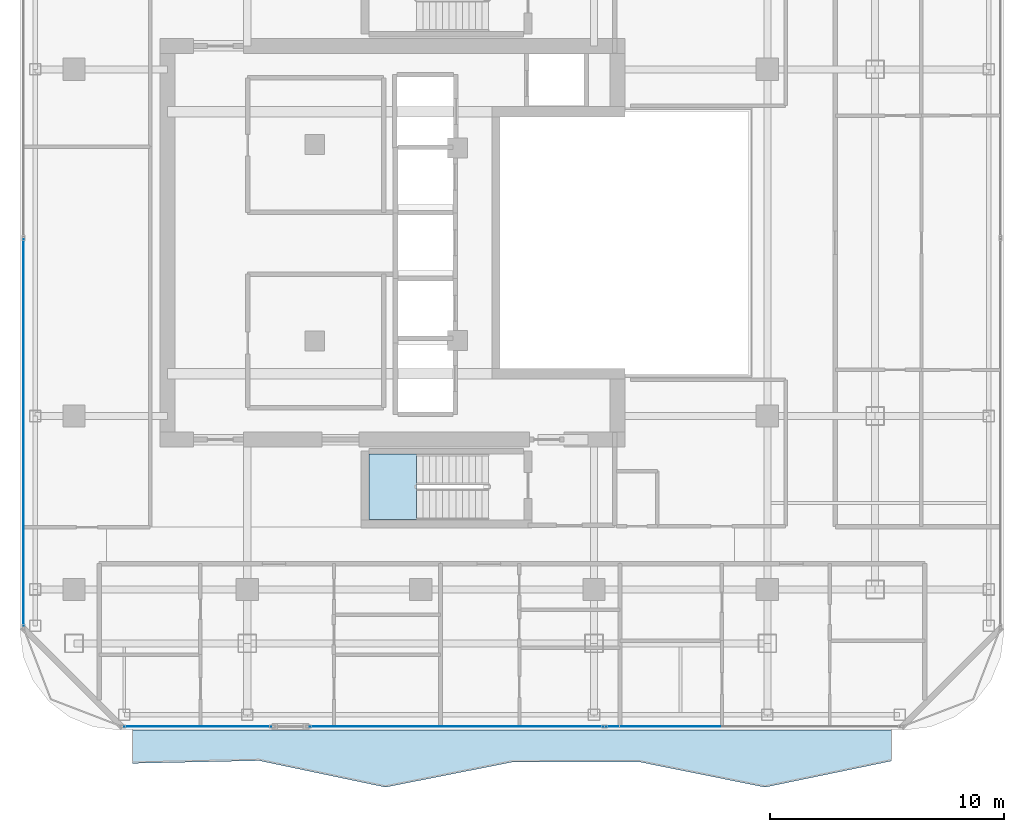
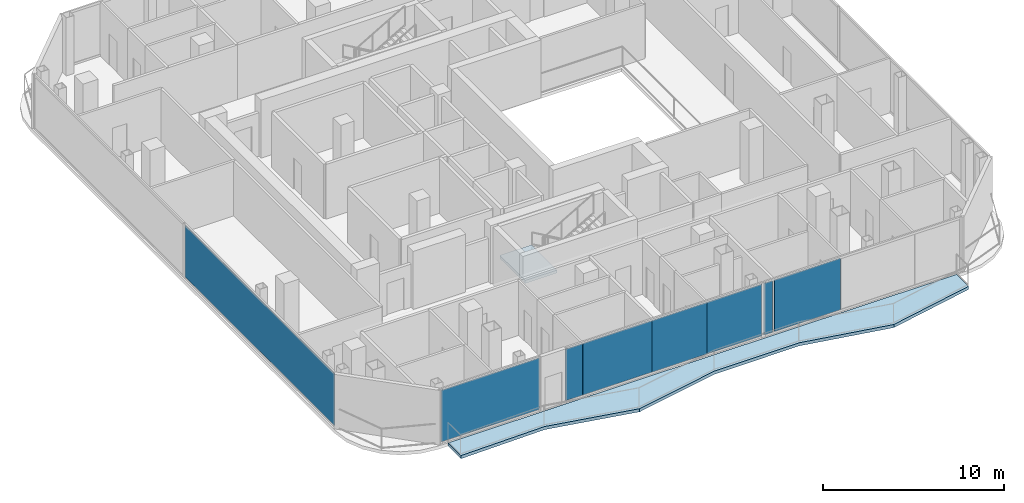
# One storey, part 15 of 23: 8 plates, 2 slabs, 4 elements without a shape of their own.
"""IFC4 building model written with IfcOpenShell, lengths in metres."""

from ifc_helpers import new_model, si_unit, direction, frame, origin, origin_2d, place, context, subcontext, project, spatial, polyline, rectangle, outline, extrude, material, layer, layer_set, type_object, element, aggregate, save


model = new_model("IFC4")

# Units and contexts
model_context = context("Model", 3, precision=1e-05, world=origin(), true_north=direction((0.0, 1.0)))
body_context = subcontext(model_context, "Body", "Model", "MODEL_VIEW")
ifc_project = project(units=[si_unit("LENGTHUNIT", "METRE"), si_unit("AREAUNIT", "SQUARE_METRE"), si_unit("VOLUMEUNIT", "CUBIC_METRE"), si_unit("PLANEANGLEUNIT", "RADIAN"), si_unit("MASSUNIT", "GRAM", prefix="KILO")], contexts=[model_context])

# Site, building, storey
site_placement = place(None, origin())
site = spatial("IfcSite", under=ifc_project, at=site_placement, CompositionType="ELEMENT")
building_placement = place(site_placement, origin())
building = spatial("IfcBuilding", under=site, at=building_placement, Name="Khorvyn Point Tower", CompositionType="ELEMENT")
storey_placement = place(building_placement, frame((0.0, 0.0, 274.199951171875)))
storey = spatial("IfcBuildingStorey", under=building, at=storey_placement, Name="L67", CompositionType="ELEMENT", Elevation=274.199951171875)

# Slab
ifc_material_1 = material(Name="Concrete C40/50", Category="concrete")
ifc_layer_1 = layer(ifc_material_1, 0.2099609375)
ifc_layer_set_1 = layer_set([ifc_layer_1], Name="Concrete C40/50 Rippling Balcony Slab 210")
slab_type_1 = type_object("IfcSlabType", Name="Concrete C40/50 Rippling Balcony Slab 210", PredefinedType="USERDEFINED", material=ifc_layer_set_1)
slab_1_placement = place(storey_placement, frame((0.0, 0.0, -0.2099609375)))
element("IfcSlab", 1, at=slab_1_placement, inside=storey, type_object=slab_type_1, Name="L67 South Sinusoidal Rippling Balcony", ObjectType="BALCONY", PredefinedType="USERDEFINED", context=body_context, shape_type="SweptSolid", body=[
    extrude(outline(polyline([(-12.300048828125, -20.800048828125), (-12.300048828125, -22.22265625), (-6.89990234375, -22.10693359375), (-1.5, -23.241455078125), (3.89990234375, -22.171630859375), (9.300048828125, -22.155029296875), (14.699951171875, -23.2421875), (20.10009765625, -22.12255859375), (20.10009765625, -20.800048828125), (-12.300048828125, -20.800048828125)])), origin(), (0.0, 0.0, 1.0), 0.2099609375),
])

# Stair, slab
stair_type = type_object("IfcStairType", Name="Tower Concrete C40/50 Dogleg Exit Stair", PredefinedType="HALF_TURN_STAIR", material=ifc_material_1)
stair_placement = place(storey_placement, origin())
stair = element("IfcStair", 2, at=stair_placement, inside=storey, type_object=stair_type, Name="L67 Tower Smokeproof Exit Stair South", PredefinedType="HALF_TURN_STAIR")
ifc_layer_2 = layer(ifc_material_1, 0.199951171875)
ifc_layer_set_2 = layer_set([ifc_layer_2], Name="Concrete C40/50 Stair Landing Slab 200")
slab_type_2 = type_object("IfcSlabType", Name="Concrete C40/50 Stair Landing Slab 200", PredefinedType="LANDING", material=ifc_layer_set_2)
slab_2_placement = place(storey_placement, frame((0.0, 0.0, 1.75)))
slab_2 = element("IfcSlab", 3, at=slab_2_placement, type_object=slab_type_2, Name="ST-01 landing 1", PredefinedType="LANDING", context=body_context, shape_type="SweptSolid", body=[
    extrude(outline(polyline([(-0.179931640625, -9.02001953125), (-2.199951171875, -9.02001953125), (-2.199951171875, -11.820068359375), (-0.179931640625, -11.820068359375), (-0.179931640625, -9.02001953125)])), origin(), (0.0, 0.0, 1.0), 0.199951171875),
])
aggregate(stair, [slab_2])

# Curtain wall, plates
ifc_material_2 = material(Name="Anodised aluminium 6063-T6 and laminated Low-E glass", Category="aluminium")
ifc_layer_3 = layer(ifc_material_2, 0.18994140625)
ifc_layer_set_3 = layer_set([ifc_layer_3], Name="Stick-Built High-Wind Curtain Wall CW-SYS-04")
curtain_wall_type = type_object("IfcCurtainWallType", Name="Stick-Built High-Wind Curtain Wall CW-SYS-04", PredefinedType="NOTDEFINED", material=ifc_layer_set_3)
curtain_wall_1_placement = place(storey_placement, origin())
curtain_wall_1 = element("IfcCurtainWall", 4, at=curtain_wall_1_placement, inside=storey, type_object=curtain_wall_type, Name="Curtain Wall", PredefinedType="NOTDEFINED")
ifc_material_3 = material(Name="Laminated Low-E insulated glass", Category="glass")
ifc_layer_4 = layer(ifc_material_3, 0.028076171875)
ifc_layer_set_4 = layer_set([ifc_layer_4], Name="Tempered Low-E Vision Glazing Panel CW-GL28")
plate_type = type_object("IfcPlateType", Name="Tempered Low-E Vision Glazing Panel CW-GL28", PredefinedType="CURTAIN_PANEL", material=ifc_layer_set_4)
plate_1_placement = place(storey_placement, frame((8.17431640625, -20.64990234375, 0.10009765625), z_axis=(0.0, 0.0, 1.0), x_axis=(-1.0, 0.0, 0.0)))
plate_1 = element("IfcPlate", 5, at=plate_1_placement, type_object=plate_type, Name="Panel", PredefinedType="CURTAIN_PANEL", context=body_context, shape_type="SweptSolid", body=[
    extrude(rectangle(XDim=0.533447265625, YDim=0.028076171875, at=origin_2d()), origin(), (0.0, 0.0, 1.0), 3.47998046875),
])
plate_2_placement = place(storey_placement, frame((10.6826171875, -20.64990234375, 0.10009765625), z_axis=(0.0, 0.0, 1.0), x_axis=(-1.0, 0.0, 0.0)))
plate_2 = element("IfcPlate", 6, at=plate_2_placement, type_object=plate_type, Name="Panel", PredefinedType="CURTAIN_PANEL", context=body_context, shape_type="SweptSolid", body=[
    extrude(rectangle(XDim=4.22705078125, YDim=0.028076171875, at=origin_2d()), origin(), (0.0, 0.0, 1.0), 3.47998046875),
])
plate_3_placement = place(storey_placement, frame((-4.19091796875, -20.64990234375, 0.10009765625), z_axis=(0.0, 0.0, 1.0), x_axis=(-1.0, 0.0, 0.0)))
plate_3 = element("IfcPlate", 7, at=plate_3_placement, type_object=plate_type, Name="Panel", PredefinedType="CURTAIN_PANEL", context=body_context, shape_type="SweptSolid", body=[
    extrude(rectangle(XDim=1.095947265625, YDim=0.028076171875, at=origin_2d()), origin(), (0.0, 0.0, 1.0), 3.47998046875),
])
plate_4_placement = place(storey_placement, frame((-1.426513671875, -20.64990234375, 0.10009765625), z_axis=(0.0, 0.0, 1.0), x_axis=(-1.0, 0.0, 0.0)))
plate_4 = element("IfcPlate", 8, at=plate_4_placement, type_object=plate_type, Name="Panel", PredefinedType="CURTAIN_PANEL", context=body_context, shape_type="SweptSolid", body=[
    extrude(rectangle(XDim=4.4169921875, YDim=0.028076171875, at=origin_2d()), origin(), (0.0, 0.0, 1.0), 3.47998046875),
])
plate_5_placement = place(storey_placement, frame((2.531005859375, -20.64990234375, 0.10009765625), z_axis=(0.0, 0.0, 1.0), x_axis=(-1.0, 0.0, 0.0)))
plate_5 = element("IfcPlate", 9, at=plate_5_placement, type_object=plate_type, Name="Panel", PredefinedType="CURTAIN_PANEL", context=body_context, shape_type="SweptSolid", body=[
    extrude(rectangle(XDim=3.48193359375, YDim=0.028076171875, at=origin_2d()), origin(), (0.0, 0.0, 1.0), 3.47998046875),
])
plate_6_placement = place(storey_placement, frame((6.039794921875, -20.64990234375, 0.10009765625), z_axis=(0.0, 0.0, 1.0), x_axis=(-1.0, 0.0, 0.0)))
plate_6 = element("IfcPlate", 10, at=plate_6_placement, type_object=plate_type, Name="Panel", PredefinedType="CURTAIN_PANEL", context=body_context, shape_type="SweptSolid", body=[
    extrude(rectangle(XDim=3.51953125, YDim=0.028076171875, at=origin_2d()), origin(), (0.0, 0.0, 1.0), 3.47998046875),
])
aggregate(curtain_wall_1, [plate_1, plate_2, plate_3, plate_4, plate_5, plate_6])

# Curtain wall, plate
curtain_wall_2_placement = place(storey_placement, origin())
curtain_wall_2 = element("IfcCurtainWall", 11, at=curtain_wall_2_placement, inside=storey, type_object=curtain_wall_type, Name="Curtain Wall", PredefinedType="NOTDEFINED")
plate_7_placement = place(storey_placement, frame((-9.5166015625, -20.64990234375, 0.10009765625), z_axis=(0.0, 0.0, 1.0), x_axis=(-1.0, 0.0, 0.0)))
plate_7 = element("IfcPlate", 12, at=plate_7_placement, type_object=plate_type, Name="Panel", PredefinedType="CURTAIN_PANEL", context=body_context, shape_type="SweptSolid", body=[
    extrude(rectangle(XDim=6.26708984375, YDim=0.028076171875, at=origin_2d()), origin(), (0.0, 0.0, 1.0), 3.47998046875),
])
aggregate(curtain_wall_2, [plate_7])

curtain_wall_3_placement = place(storey_placement, origin())
curtain_wall_3 = element("IfcCurtainWall", 13, at=curtain_wall_3_placement, inside=storey, type_object=curtain_wall_type, Name="Curtain Wall", PredefinedType="NOTDEFINED")
plate_8_placement = place(storey_placement, frame((-16.949951171875, -8.10009765625, 0.10009765625), z_axis=(0.0, 0.0, 1.0), x_axis=(0.0, 1.0, 0.0)))
plate_8 = element("IfcPlate", 14, at=plate_8_placement, type_object=plate_type, Name="Panel", PredefinedType="CURTAIN_PANEL", context=body_context, shape_type="SweptSolid", body=[
    extrude(rectangle(XDim=16.5, YDim=0.028076171875, at=origin_2d()), origin(), (0.0, 0.0, 1.0), 3.47998046875),
])
aggregate(curtain_wall_3, [plate_8])

save(model, "model.ifc")
